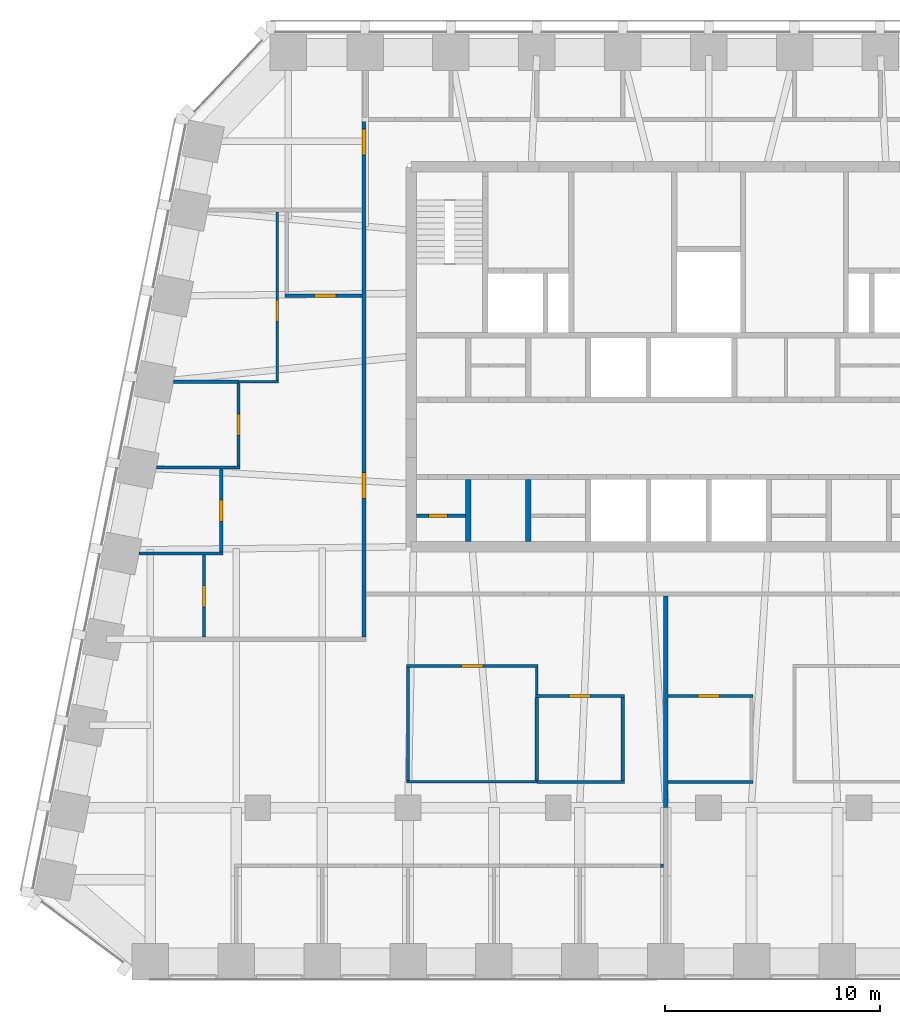
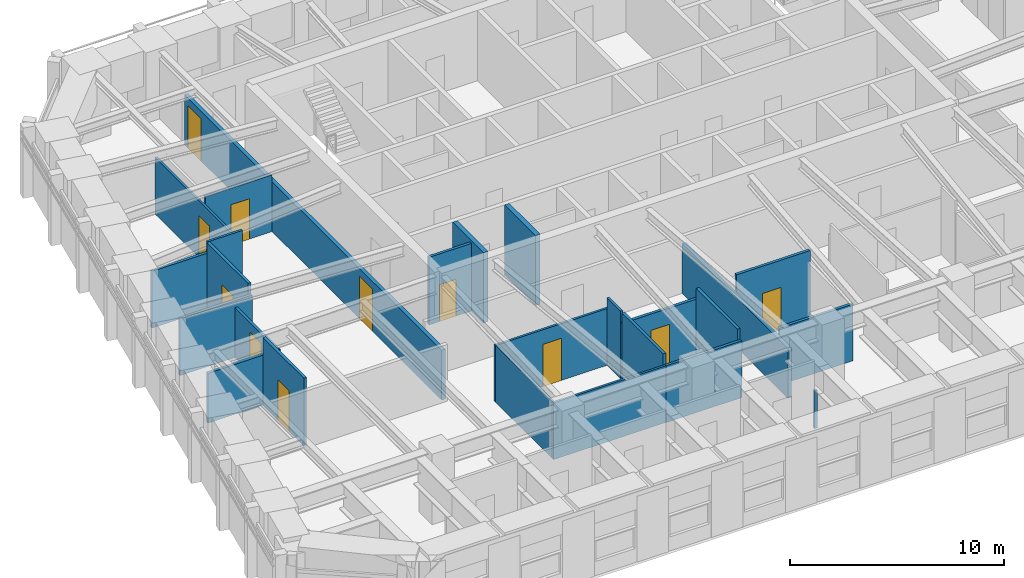
# One storey, part 6 of 11: 25 walls, 11 doors, 11 openings.
"""IFC4 building model written with IfcOpenShell, lengths in metres."""

from ifc_helpers import new_model, si_unit, direction, frame, frame_2d, origin, place, context, subcontext, project, spatial, rectangle, extrude, material, layer, layer_set, type_object, element, fill, save


model = new_model("IFC4")

# Units and contexts
model_context = context("Model", 3, precision=1e-05, world=origin(), true_north=direction((0.0, 1.0)))
body_context = subcontext(model_context, "Body", "Model", "MODEL_VIEW")
ifc_project = project(units=[si_unit("LENGTHUNIT", "METRE"), si_unit("AREAUNIT", "SQUARE_METRE"), si_unit("VOLUMEUNIT", "CUBIC_METRE"), si_unit("PLANEANGLEUNIT", "RADIAN"), si_unit("MASSUNIT", "GRAM", prefix="KILO")], contexts=[model_context])

# Site, building, storey
site_placement = place(None, origin())
site = spatial("IfcSite", under=ifc_project, at=site_placement, CompositionType="ELEMENT")
building_placement = place(site_placement, origin())
building = spatial("IfcBuilding", under=site, at=building_placement, Name="Isbrekke Arena Tower", CompositionType="ELEMENT")
storey_placement = place(building_placement, frame((0.0, 0.0, 268.0)))
storey = spatial("IfcBuildingStorey", under=building, at=storey_placement, Name="L62", CompositionType="ELEMENT", Elevation=268.0)

# Walls
ifc_material_1 = material(Name="Concrete B45 (C45/55)", Category="concrete")
ifc_layer_1 = layer(ifc_material_1, 0.25)
ifc_layer_set_1 = layer_set([ifc_layer_1], Name="CW6 SHAFT WALL 250")
wall_type_1 = type_object("IfcWallType", Name="CW6 SHAFT WALL 250", PredefinedType="SHEAR", material=ifc_layer_set_1)
for number, where, z_axis, x_axis, name in (
    (1, (-11.199951171875, 6.39990234375, 0.0), (0.0, 0.0, 1.0), (0.0, 1.0, 0.0), "Core wall SS01 L62"),
    (2, (-8.39990234375, 6.39990234375, 0.0), (0.0, 0.0, 1.0), (0.0, 1.0, 0.0), "Core wall SS02 L62"),
):
    element("IfcWall", number, at=place(storey_placement, frame(where, z_axis=z_axis, x_axis=x_axis)), inside=storey, type_object=wall_type_1, Name=name, PredefinedType="SHEAR", context=body_context, shape_type="SweptSolid", body=[
        extrude(rectangle(XDim=2.875, YDim=0.25, at=frame_2d((1.4375, 0.0))), origin(), (0.0, 0.0, 1.0), 4.0),
    ])
ifc_material_2 = material(Name="Gypsum board partition on steel studs", Category="steel")
ifc_layer_2 = layer(ifc_material_2, 0.14990234375)
ifc_layer_set_2 = layer_set([ifc_layer_2], Name="IW1 PARTITION 150")
wall_type_2 = type_object("IfcWallType", Name="IW1 PARTITION 150", PredefinedType="PARTITIONING", material=ifc_layer_set_2)
wall_1_placement = place(storey_placement, frame((-2.25, -8.699951171875, 0.0), z_axis=(0.0, 0.0, 1.0), x_axis=(1.0, 0.0, 0.0)))
element("IfcWall", 3, at=wall_1_placement, inside=storey, type_object=wall_type_2, Name="IW1 partition 150 L62", PredefinedType="PARTITIONING", context=body_context, shape_type="SweptSolid", body=[
    extrude(rectangle(XDim=0.14990234375, YDim=0.14990234375, at=frame_2d((0.074951171875, 0.0))), origin(), (0.0, 0.0, 1.0), 2.14990234375),
])
wall_2_placement = place(storey_placement, frame((-8.0, -4.800048828125, 0.0), z_axis=(0.0, 0.0, 1.0), x_axis=(1.0, 0.0, 0.0)))
element("IfcWall", 4, at=wall_2_placement, inside=storey, type_object=wall_type_2, Name="IW1 partition 150 L62", PredefinedType="PARTITIONING", context=body_context, shape_type="SweptSolid", body=[
    extrude(rectangle(XDim=4.074951171875, YDim=0.14990234375, at=frame_2d((2.03759765625, 0.0))), origin(), (0.0, 0.0, 1.0), 3.22998046875),
])
wall_3_placement = place(storey_placement, frame((-1.89990234375, -4.800048828125, 0.0), z_axis=(0.0, 0.0, 1.0), x_axis=(1.0, 0.0, 0.0)))
element("IfcWall", 5, at=wall_3_placement, inside=storey, type_object=wall_type_2, Name="IW1 partition 150 L62", PredefinedType="PARTITIONING", context=body_context, shape_type="SweptSolid", body=[
    extrude(rectangle(XDim=3.974853515625, YDim=0.14990234375, at=frame_2d((1.9873046875, 0.0))), origin(), (0.0, 0.0, 1.0), 3.22998046875),
])

# Wall, opening, door
wall_4_placement = place(storey_placement, frame((-8.06005859375, -0.800048828125, 0.0), z_axis=(0.0, 0.0, 1.0), x_axis=(1.0, 0.0, 0.0)))
wall_4 = element("IfcWall", 6, at=wall_4_placement, inside=storey, type_object=wall_type_2, Name="IW1 partition 150 L62", PredefinedType="PARTITIONING", context=body_context, shape_type="SweptSolid", body=[
    extrude(rectangle(XDim=4.135009765625, YDim=0.14990234375, at=frame_2d((2.0673828125, 0.0))), origin(), (0.0, 0.0, 1.0), 3.22998046875),
])
opening_1_placement = place(wall_4_placement, frame((1.56005859375, 0.0, 0.0)))
opening_1 = element("IfcOpeningElement", 7, at=opening_1_placement, cuts=wall_4, Name="Opening D10", PredefinedType="OPENING", context=body_context, shape_type="SweptSolid", body=[
    extrude(rectangle(XDim=1.0, YDim=2.300048828125, at=frame_2d((0.5, 1.14990234375))), frame((0.0, 0.08984375, 0.0), z_axis=(0.0, -1.0, 0.0), x_axis=(1.0, 0.0, 0.0)), (0.0, 0.0, 1.0), 0.1796875),
])
ifc_material_3 = material(Name="Timber door", Category="wood")
door_type_1 = type_object("IfcDoorType", Name="D10 OFFICE DOOR 1000 x 2300", OperationType="SINGLE_SWING_LEFT", PredefinedType="DOOR", material=ifc_material_3)
door_1_placement = place(opening_1_placement, origin())
door_1 = element("IfcDoor", 8, at=door_1_placement, inside=storey, type_object=door_type_1, Name="D10 pantry door L62", OperationType="SINGLE_SWING_LEFT", OverallHeight=2.300048828125, OverallWidth=1.0, PredefinedType="DOOR", context=body_context, shape_type="SweptSolid", body=[
    extrude(rectangle(XDim=1.0, YDim=2.300048828125, at=frame_2d((0.5, 1.14990234375))), frame((0.0, 0.07470703125, 0.0), z_axis=(0.0, -1.0, 0.0), x_axis=(1.0, 0.0, 0.0)), (0.0, 0.0, 1.0), 0.1494140625),
])
fill(opening_1, door_1)

wall_5_placement = place(storey_placement, frame((-1.89990234375, -0.800048828125, 0.0), z_axis=(0.0, 0.0, 1.0), x_axis=(1.0, 0.0, 0.0)))
wall_5 = element("IfcWall", 9, at=wall_5_placement, inside=storey, type_object=wall_type_2, Name="IW1 partition 150 L62", PredefinedType="PARTITIONING", context=body_context, shape_type="SweptSolid", body=[
    extrude(rectangle(XDim=3.974853515625, YDim=0.14990234375, at=frame_2d((1.9873046875, 0.0))), origin(), (0.0, 0.0, 1.0), 3.85009765625),
])
opening_2_placement = place(wall_5_placement, frame((1.39990234375, 0.0, 0.0)))
opening_2 = element("IfcOpeningElement", 10, at=opening_2_placement, cuts=wall_5, Name="Opening D10", PredefinedType="OPENING", context=body_context, shape_type="SweptSolid", body=[
    extrude(rectangle(XDim=1.0, YDim=2.300048828125, at=frame_2d((0.5, 1.14990234375))), frame((0.0, 0.08984375, 0.0), z_axis=(0.0, -1.0, 0.0), x_axis=(1.0, 0.0, 0.0)), (0.0, 0.0, 1.0), 0.1796875),
])
door_2_placement = place(opening_2_placement, origin())
door_2 = element("IfcDoor", 11, at=door_2_placement, inside=storey, type_object=door_type_1, Name="D10 tea point door L62", OperationType="SINGLE_SWING_LEFT", OverallHeight=2.300048828125, OverallWidth=1.0, PredefinedType="DOOR", context=body_context, shape_type="SweptSolid", body=[
    extrude(rectangle(XDim=1.0, YDim=2.300048828125, at=frame_2d((0.5, 1.14990234375))), frame((0.0, 0.07470703125, 0.0), z_axis=(0.0, -1.0, 0.0), x_axis=(1.0, 0.0, 0.0)), (0.0, 0.0, 1.0), 0.1494140625),
])
fill(opening_2, door_2)

# Walls
wall_6_placement = place(storey_placement, frame((-26.523681640625, 5.840087890625, 0.0), z_axis=(0.0, 0.0, 1.0), x_axis=(1.0, 0.0, 0.0)))
element("IfcWall", 12, at=wall_6_placement, inside=storey, type_object=wall_type_2, Name="IW1 partition 150 L62", PredefinedType="PARTITIONING", context=body_context, shape_type="SweptSolid", body=[
    extrude(rectangle(XDim=3.898681640625, YDim=0.14990234375, at=frame_2d((1.94921875, 0.0))), origin(), (0.0, 0.0, 1.0), 2.842041015625),
])
wall_7_placement = place(storey_placement, frame((-25.723876953125, 9.840087890625, 0.0), z_axis=(0.0, 0.0, 1.0), x_axis=(1.0, 0.0, 0.0)))
element("IfcWall", 13, at=wall_7_placement, inside=storey, type_object=wall_type_2, Name="IW1 partition 150 L62", PredefinedType="PARTITIONING", context=body_context, shape_type="SweptSolid", body=[
    extrude(rectangle(XDim=3.89892578125, YDim=0.14990234375, at=frame_2d((1.949462890625, 0.0))), origin(), (0.0, 0.0, 1.0), 3.22998046875),
])
wall_8_placement = place(storey_placement, frame((-24.923828125, 13.840087890625, 0.0), z_axis=(0.0, 0.0, 1.0), x_axis=(1.0, 0.0, 0.0)))
element("IfcWall", 14, at=wall_8_placement, inside=storey, type_object=wall_type_2, Name="IW1 partition 150 L62", PredefinedType="PARTITIONING", context=body_context, shape_type="SweptSolid", body=[
    extrude(rectangle(XDim=3.02392578125, YDim=0.14990234375, at=frame_2d((1.511962890625, 0.0))), origin(), (0.0, 0.0, 1.0), 3.22998046875),
])

# Wall, opening, door
wall_9_placement = place(storey_placement, frame((-19.72509765625, 17.840087890625, 0.0), z_axis=(0.0, 0.0, 1.0), x_axis=(1.0, 0.0, 0.0)))
wall_9 = element("IfcWall", 15, at=wall_9_placement, inside=storey, type_object=wall_type_2, Name="IW1 partition 150 L62", PredefinedType="PARTITIONING", context=body_context, shape_type="SweptSolid", body=[
    extrude(rectangle(XDim=3.5751953125, YDim=0.14990234375, at=frame_2d((1.78759765625, 0.0))), origin(), (0.0, 0.0, 1.0), 3.22998046875),
])
opening_3_placement = place(wall_9_placement, frame((1.375, 0.0, 0.0)))
opening_3 = element("IfcOpeningElement", 16, at=opening_3_placement, cuts=wall_9, Name="Opening D10", PredefinedType="OPENING", context=body_context, shape_type="SweptSolid", body=[
    extrude(rectangle(XDim=1.0, YDim=2.300048828125, at=frame_2d((0.5, 1.14990234375))), frame((0.0, 0.08984375, 0.0), z_axis=(0.0, -1.0, 0.0), x_axis=(1.0, 0.0, 0.0)), (0.0, 0.0, 1.0), 0.1796875),
])
door_3_placement = place(opening_3_placement, origin())
door_3 = element("IfcDoor", 17, at=door_3_placement, inside=storey, type_object=door_type_1, Name="D10 tea point door L62", OperationType="SINGLE_SWING_LEFT", OverallHeight=2.300048828125, OverallWidth=1.0, PredefinedType="DOOR", context=body_context, shape_type="SweptSolid", body=[
    extrude(rectangle(XDim=1.0, YDim=2.300048828125, at=frame_2d((0.5, 1.14990234375))), frame((0.0, 0.07470703125, 0.0), z_axis=(0.0, -1.0, 0.0), x_axis=(1.0, 0.0, 0.0)), (0.0, 0.0, 1.0), 0.1494140625),
])
fill(opening_3, door_3)

wall_10_placement = place(storey_placement, frame((-23.5, 1.93994140625, 0.0), z_axis=(0.0, 0.0, 1.0), x_axis=(0.0, 1.0, 0.0)))
wall_10 = element("IfcWall", 18, at=wall_10_placement, inside=storey, type_object=wall_type_2, Name="IW1 partition 150 L62", PredefinedType="PARTITIONING", context=body_context, shape_type="SweptSolid", body=[
    extrude(rectangle(XDim=3.824951171875, YDim=0.14990234375, at=frame_2d((1.91259765625, 0.0))), origin(), (0.0, 0.0, 1.0), 3.85009765625),
])
opening_4_placement = place(wall_10_placement, frame((1.39990234375, 0.0, 0.0)))
opening_4 = element("IfcOpeningElement", 19, at=opening_4_placement, cuts=wall_10, Name="Opening D10", PredefinedType="OPENING", context=body_context, shape_type="SweptSolid", body=[
    extrude(rectangle(XDim=1.0, YDim=2.300048828125, at=frame_2d((0.5, 1.14990234375))), frame((0.0, 0.08984375, 0.0), z_axis=(0.0, -1.0, 0.0), x_axis=(1.0, 0.0, 0.0)), (0.0, 0.0, 1.0), 0.1796875),
])
door_4_placement = place(opening_4_placement, origin())
door_4 = element("IfcDoor", 20, at=door_4_placement, inside=storey, type_object=door_type_1, Name="D10 office door L62", OperationType="SINGLE_SWING_LEFT", OverallHeight=2.300048828125, OverallWidth=1.0, PredefinedType="DOOR", context=body_context, shape_type="SweptSolid", body=[
    extrude(rectangle(XDim=1.0, YDim=2.300048828125, at=frame_2d((0.5, 1.14990234375))), frame((0.0, 0.07470703125, 0.0), z_axis=(0.0, -1.0, 0.0), x_axis=(1.0, 0.0, 0.0)), (0.0, 0.0, 1.0), 0.1494140625),
])
fill(opening_4, door_4)

wall_11_placement = place(storey_placement, frame((-22.699951171875, 5.9150390625, 0.0), z_axis=(0.0, 0.0, 1.0), x_axis=(0.0, 1.0, 0.0)))
wall_11 = element("IfcWall", 21, at=wall_11_placement, inside=storey, type_object=wall_type_2, Name="IW1 partition 150 L62", PredefinedType="PARTITIONING", context=body_context, shape_type="SweptSolid", body=[
    extrude(rectangle(XDim=3.849853515625, YDim=0.14990234375, at=frame_2d((1.9248046875, 0.0))), origin(), (0.0, 0.0, 1.0), 2.842041015625),
])
opening_5_placement = place(wall_11_placement, frame((1.425048828125, 0.0, 0.0)))
opening_5 = element("IfcOpeningElement", 22, at=opening_5_placement, cuts=wall_11, Name="Opening D10", PredefinedType="OPENING", context=body_context, shape_type="SweptSolid", body=[
    extrude(rectangle(XDim=1.0, YDim=2.300048828125, at=frame_2d((0.5, 1.14990234375))), frame((0.0, 0.08984375, 0.0), z_axis=(0.0, -1.0, 0.0), x_axis=(1.0, 0.0, 0.0)), (0.0, 0.0, 1.0), 0.1796875),
])
door_5_placement = place(opening_5_placement, origin())
door_5 = element("IfcDoor", 23, at=door_5_placement, inside=storey, type_object=door_type_1, Name="D10 office door L62", OperationType="SINGLE_SWING_LEFT", OverallHeight=2.300048828125, OverallWidth=1.0, PredefinedType="DOOR", context=body_context, shape_type="SweptSolid", body=[
    extrude(rectangle(XDim=1.0, YDim=2.300048828125, at=frame_2d((0.5, 1.14990234375))), frame((0.0, 0.07470703125, 0.0), z_axis=(0.0, -1.0, 0.0), x_axis=(1.0, 0.0, 0.0)), (0.0, 0.0, 1.0), 0.1494140625),
])
fill(opening_5, door_5)

wall_12_placement = place(storey_placement, frame((-21.89990234375, 9.9150390625, 0.0), z_axis=(0.0, 0.0, 1.0), x_axis=(0.0, 1.0, 0.0)))
wall_12 = element("IfcWall", 24, at=wall_12_placement, inside=storey, type_object=wall_type_2, Name="IW1 partition 150 L62", PredefinedType="PARTITIONING", context=body_context, shape_type="SweptSolid", body=[
    extrude(rectangle(XDim=3.849853515625, YDim=0.14990234375, at=frame_2d((1.9248046875, 0.0))), origin(), (0.0, 0.0, 1.0), 3.85009765625),
])
opening_6_placement = place(wall_12_placement, frame((1.425048828125, 0.0, 0.0)))
opening_6 = element("IfcOpeningElement", 25, at=opening_6_placement, cuts=wall_12, Name="Opening D10", PredefinedType="OPENING", context=body_context, shape_type="SweptSolid", body=[
    extrude(rectangle(XDim=1.0, YDim=2.300048828125, at=frame_2d((0.5, 1.14990234375))), frame((0.0, 0.08984375, 0.0), z_axis=(0.0, -1.0, 0.0), x_axis=(1.0, 0.0, 0.0)), (0.0, 0.0, 1.0), 0.1796875),
])
door_6_placement = place(opening_6_placement, origin())
door_6 = element("IfcDoor", 26, at=door_6_placement, inside=storey, type_object=door_type_1, Name="D10 office door L62", OperationType="SINGLE_SWING_LEFT", OverallHeight=2.300048828125, OverallWidth=1.0, PredefinedType="DOOR", context=body_context, shape_type="SweptSolid", body=[
    extrude(rectangle(XDim=1.0, YDim=2.300048828125, at=frame_2d((0.5, 1.14990234375))), frame((0.0, 0.07470703125, 0.0), z_axis=(0.0, -1.0, 0.0), x_axis=(1.0, 0.0, 0.0)), (0.0, 0.0, 1.0), 0.1494140625),
])
fill(opening_6, door_6)

# Walls
for number, where, z_axis, x_axis, name in (
    (27, (-8.0, -4.72509765625, 0.0), (0.0, 0.0, 1.0), (0.0, 1.0, 0.0), "IW1 partition 150 L62"),
    (28, (-4.0, -4.72509765625, 0.0), (0.0, 0.0, 1.0), (0.0, 1.0, 0.0), "IW1 partition 150 L62"),
):
    element("IfcWall", number, at=place(storey_placement, frame(where, z_axis=z_axis, x_axis=x_axis)), inside=storey, type_object=wall_type_2, Name=name, PredefinedType="PARTITIONING", context=body_context, shape_type="SweptSolid", body=[
        extrude(rectangle(XDim=3.85009765625, YDim=0.14990234375, at=frame_2d((1.925048828125, 0.0))), origin(), (0.0, 0.0, 1.0), 3.85009765625),
    ])
ifc_material_4 = material(Name="Frameless glazed partition, laminated acoustic glass", Category="glass")
ifc_layer_3 = layer(ifc_material_4, 0.1201171875)
ifc_layer_set_3 = layer_set([ifc_layer_3], Name="IW2 GLAZED PARTITION 120")
wall_type_3 = type_object("IfcWallType", Name="IW2 GLAZED PARTITION 120", PredefinedType="PARTITIONING", material=ifc_layer_set_3)
wall_13_placement = place(storey_placement, frame((-14.06005859375, -4.800048828125, 0.0), z_axis=(0.0, 0.0, 1.0), x_axis=(1.0, 0.0, 0.0)))
element("IfcWall", 29, at=wall_13_placement, inside=storey, type_object=wall_type_3, Name="IW2 glazed partition 120 L62", PredefinedType="PARTITIONING", context=body_context, shape_type="SweptSolid", body=[
    extrude(rectangle(XDim=6.06005859375, YDim=0.1201171875, at=frame_2d((3.030029296875, 0.0))), origin(), (0.0, 0.0, 1.0), 3.22998046875),
])

# Wall, opening, door
wall_14_placement = place(storey_placement, frame((-14.06005859375, 0.60009765625, 0.0), z_axis=(0.0, 0.0, 1.0), x_axis=(1.0, 0.0, 0.0)))
wall_14 = element("IfcWall", 30, at=wall_14_placement, inside=storey, type_object=wall_type_3, Name="IW2 glazed partition 120 L62", PredefinedType="PARTITIONING", context=body_context, shape_type="SweptSolid", body=[
    extrude(rectangle(XDim=6.1201171875, YDim=0.1201171875, at=frame_2d((3.06005859375, 0.0))), origin(), (0.0, 0.0, 1.0), 3.22998046875),
])
opening_7_placement = place(wall_14_placement, frame((2.56005859375, 0.0, 0.0)))
opening_7 = element("IfcOpeningElement", 31, at=opening_7_placement, cuts=wall_14, Name="Opening D11", PredefinedType="OPENING", context=body_context, shape_type="SweptSolid", body=[
    extrude(rectangle(XDim=1.0, YDim=2.39990234375, at=frame_2d((0.5, 1.199951171875))), frame((0.0, 0.074951171875, 0.0), z_axis=(0.0, -1.0, 0.0), x_axis=(1.0, 0.0, 0.0)), (0.0, 0.0, 1.0), 0.14990234375),
])
ifc_material_5 = material(Name="Frameless glazed door", Category="glass")
door_type_2 = type_object("IfcDoorType", Name="D11 GLAZED MEETING ROOM DOOR 1000 x 2400", OperationType="SINGLE_SWING_RIGHT", PredefinedType="DOOR", material=ifc_material_5)
door_7_placement = place(opening_7_placement, origin())
door_7 = element("IfcDoor", 32, at=door_7_placement, inside=storey, type_object=door_type_2, Name="D11 meeting room door L62", OperationType="SINGLE_SWING_RIGHT", OverallHeight=2.39990234375, OverallWidth=1.0, PredefinedType="DOOR", context=body_context, shape_type="SweptSolid", body=[
    extrude(rectangle(XDim=1.0, YDim=2.39990234375, at=frame_2d((0.5, 1.199951171875))), frame((0.0, 0.059814453125, 0.0), z_axis=(0.0, -1.0, 0.0), x_axis=(1.0, 0.0, 0.0)), (0.0, 0.0, 1.0), 0.11962890625),
])
fill(opening_7, door_7)

# Wall
wall_15_placement = place(storey_placement, frame((-21.89990234375, 13.840087890625, 0.0), z_axis=(0.0, 0.0, 1.0), x_axis=(1.0, 0.0, 0.0)))
element("IfcWall", 33, at=wall_15_placement, inside=storey, type_object=wall_type_3, Name="IW2 glazed partition 120 L62", PredefinedType="PARTITIONING", context=body_context, shape_type="SweptSolid", body=[
    extrude(rectangle(XDim=1.85986328125, YDim=0.1201171875, at=frame_2d((0.929931640625, 0.0))), origin(), (0.0, 0.0, 1.0), 3.85009765625),
])

# Wall, opening, door
wall_16_placement = place(storey_placement, frame((-20.10009765625, 13.89990234375, 0.0), z_axis=(0.0, 0.0, 1.0), x_axis=(0.0, 1.0, 0.0)))
wall_16 = element("IfcWall", 34, at=wall_16_placement, inside=storey, type_object=wall_type_3, Name="IW2 glazed partition 120 L62", PredefinedType="PARTITIONING", context=body_context, shape_type="SweptSolid", body=[
    extrude(rectangle(XDim=7.840087890625, YDim=0.1201171875, at=frame_2d((3.919921875, 0.0))), origin(), (0.0, 0.0, 1.0), 3.22998046875),
])
opening_8_placement = place(wall_16_placement, frame((2.739990234375, 0.0, 0.0)))
opening_8 = element("IfcOpeningElement", 35, at=opening_8_placement, cuts=wall_16, Name="Opening D11", PredefinedType="OPENING", context=body_context, shape_type="SweptSolid", body=[
    extrude(rectangle(XDim=1.0, YDim=2.39990234375, at=frame_2d((0.5, 1.199951171875))), frame((0.0, 0.074951171875, 0.0), z_axis=(0.0, -1.0, 0.0), x_axis=(1.0, 0.0, 0.0)), (0.0, 0.0, 1.0), 0.14990234375),
])
door_8_placement = place(opening_8_placement, origin())
door_8 = element("IfcDoor", 36, at=door_8_placement, inside=storey, type_object=door_type_2, Name="D11 meeting room door L62", OperationType="SINGLE_SWING_RIGHT", OverallHeight=2.39990234375, OverallWidth=1.0, PredefinedType="DOOR", context=body_context, shape_type="SweptSolid", body=[
    extrude(rectangle(XDim=1.0, YDim=2.39990234375, at=frame_2d((0.5, 1.199951171875))), frame((0.0, 0.059814453125, 0.0), z_axis=(0.0, -1.0, 0.0), x_axis=(1.0, 0.0, 0.0)), (0.0, 0.0, 1.0), 0.11962890625),
])
fill(opening_8, door_8)

# Walls
wall_17_placement = place(storey_placement, frame((-14.0, -4.739990234375, 0.0), z_axis=(0.0, 0.0, 1.0), x_axis=(0.0, 1.0, 0.0)))
element("IfcWall", 37, at=wall_17_placement, inside=storey, type_object=wall_type_3, Name="IW2 glazed partition 120 L62", PredefinedType="PARTITIONING", context=body_context, shape_type="SweptSolid", body=[
    extrude(rectangle(XDim=5.280029296875, YDim=0.1201171875, at=frame_2d((2.64013671875, 0.0))), origin(), (0.0, 0.0, 1.0), 3.22998046875),
])
wall_18_placement = place(storey_placement, frame((-8.0, -0.72509765625, 0.0), z_axis=(0.0, 0.0, 1.0), x_axis=(0.0, 1.0, 0.0)))
element("IfcWall", 38, at=wall_18_placement, inside=storey, type_object=wall_type_3, Name="IW2 glazed partition 120 L62", PredefinedType="PARTITIONING", context=body_context, shape_type="SweptSolid", body=[
    extrude(rectangle(XDim=1.26513671875, YDim=0.1201171875, at=frame_2d((0.632568359375, 0.0))), origin(), (0.0, 0.0, 1.0), 3.85009765625),
])

# Wall, openings, doors
ifc_material_6 = material(Name="Gypsum board fire-cell wall on steel studs, two layers each side", Category="steel")
ifc_layer_4 = layer(ifc_material_6, 0.199951171875)
ifc_layer_set_4 = layer_set([ifc_layer_4], Name="IW3 FIRE-CELL WALL 200")
wall_type_4 = type_object("IfcWallType", Name="IW3 FIRE-CELL WALL 200", PredefinedType="PARTITIONING", material=ifc_layer_set_4)
wall_19_placement = place(storey_placement, frame((-16.050048828125, 1.93994140625, 0.0), z_axis=(0.0, 0.0, 1.0), x_axis=(0.0, 1.0, 0.0)))
wall_19 = element("IfcWall", 39, at=wall_19_placement, inside=storey, type_object=wall_type_4, Name="IW3 fire-cell wall 200 L62", PredefinedType="PARTITIONING", context=body_context, shape_type="SweptSolid", body=[
    extrude(rectangle(XDim=24.010009765625, YDim=0.199951171875, at=frame_2d((12.0048828125, 0.0))), origin(), (0.0, 0.0, 1.0), 2.842041015625),
])
opening_9_placement = place(wall_19_placement, frame((22.4599609375, 0.0, 0.0)))
opening_9 = element("IfcOpeningElement", 40, at=opening_9_placement, cuts=wall_19, Name="Opening D12", PredefinedType="OPENING", context=body_context, shape_type="SweptSolid", body=[
    extrude(rectangle(XDim=1.199951171875, YDim=2.39990234375, at=frame_2d((0.60009765625, 1.199951171875))), frame((0.0, 0.11474609375, 0.0), z_axis=(0.0, -1.0, 0.0), x_axis=(1.0, 0.0, 0.0)), (0.0, 0.0, 1.0), 0.229736328125),
])
opening_10_placement = place(wall_19_placement, frame((6.4599609375, 0.0, 0.0)))
opening_10 = element("IfcOpeningElement", 41, at=opening_10_placement, cuts=wall_19, Name="Opening D12", PredefinedType="OPENING", context=body_context, shape_type="SweptSolid", body=[
    extrude(rectangle(XDim=1.199951171875, YDim=2.39990234375, at=frame_2d((0.60009765625, 1.199951171875))), frame((0.0, 0.11474609375, 0.0), z_axis=(0.0, -1.0, 0.0), x_axis=(1.0, 0.0, 0.0)), (0.0, 0.0, 1.0), 0.229736328125),
])
ifc_material_7 = material(Name="Timber fire door with vision panel", Category="wood")
door_type_3 = type_object("IfcDoorType", Name="D12 SUITE ENTRANCE DOOR 1200 x 2400", OperationType="SINGLE_SWING_LEFT", PredefinedType="DOOR", material=ifc_material_7)
door_9_placement = place(opening_9_placement, origin())
door_9 = element("IfcDoor", 42, at=door_9_placement, inside=storey, type_object=door_type_3, Name="D12 suite entrance NCW door L62", OperationType="SINGLE_SWING_LEFT", OverallHeight=2.39990234375, OverallWidth=1.199951171875, PredefinedType="DOOR", context=body_context, shape_type="SweptSolid", body=[
    extrude(rectangle(XDim=1.199951171875, YDim=2.39990234375, at=frame_2d((0.60009765625, 1.199951171875))), frame((0.0, 0.099609375, 0.0), z_axis=(0.0, -1.0, 0.0), x_axis=(1.0, 0.0, 0.0)), (0.0, 0.0, 1.0), 0.199462890625),
])
fill(opening_9, door_9)
door_10_placement = place(opening_10_placement, origin())
door_10 = element("IfcDoor", 43, at=door_10_placement, inside=storey, type_object=door_type_3, Name="D12 suite entrance NW door L62", OperationType="SINGLE_SWING_LEFT", OverallHeight=2.39990234375, OverallWidth=1.199951171875, PredefinedType="DOOR", context=body_context, shape_type="SweptSolid", body=[
    extrude(rectangle(XDim=1.199951171875, YDim=2.39990234375, at=frame_2d((0.60009765625, 1.199951171875))), frame((0.0, 0.099609375, 0.0), z_axis=(0.0, -1.0, 0.0), x_axis=(1.0, 0.0, 0.0)), (0.0, 0.0, 1.0), 0.199462890625),
])
fill(opening_10, door_10)

# Wall
wall_20_placement = place(storey_placement, frame((-2.0, -6.0, 0.0), z_axis=(0.0, 0.0, 1.0), x_axis=(0.0, 1.0, 0.0)))
element("IfcWall", 44, at=wall_20_placement, inside=storey, type_object=wall_type_4, Name="IW3 fire-cell wall 200 L62", PredefinedType="PARTITIONING", context=body_context, shape_type="SweptSolid", body=[
    extrude(rectangle(XDim=9.85009765625, YDim=0.199951171875, at=frame_2d((4.925048828125, 0.0))), origin(), (0.0, 0.0, 1.0), 2.85009765625),
])

# Wall, opening, door
ifc_material_8 = material(Name="Gypsum board fire-rated partition on steel studs, two layers each side", Category="steel")
ifc_layer_5 = layer(ifc_material_8, 0.14990234375)
ifc_layer_set_5 = layer_set([ifc_layer_5], Name="IW5 FIRE-RATED PARTITION 150")
wall_type_5 = type_object("IfcWallType", Name="IW5 FIRE-RATED PARTITION 150", PredefinedType="PARTITIONING", material=ifc_layer_set_5)
wall_21_placement = place(storey_placement, frame((-13.60009765625, 7.60009765625, 0.0), z_axis=(0.0, 0.0, 1.0), x_axis=(1.0, 0.0, 0.0)))
wall_21 = element("IfcWall", 45, at=wall_21_placement, inside=storey, type_object=wall_type_5, Name="IW5 fire-rated partition L62 core service rooms 4", PredefinedType="PARTITIONING", context=body_context, shape_type="SweptSolid", body=[
    extrude(rectangle(XDim=2.275146484375, YDim=0.14990234375, at=frame_2d((1.1376953125, 0.0))), origin(), (0.0, 0.0, 1.0), 3.85009765625),
])
opening_11_placement = place(wall_21_placement, frame((0.550048828125, 0.0, 0.0)))
opening_11 = element("IfcOpeningElement", 46, at=opening_11_placement, cuts=wall_21, Name="Opening D5", PredefinedType="OPENING", context=body_context, shape_type="SweptSolid", body=[
    extrude(rectangle(XDim=0.89990234375, YDim=2.10009765625, at=frame_2d((0.449951171875, 1.050048828125))), frame((0.0, 0.08984375, 0.0), z_axis=(0.0, -1.0, 0.0), x_axis=(1.0, 0.0, 0.0)), (0.0, 0.0, 1.0), 0.1796875),
])
ifc_material_9 = material(Name="Steel fire door", Category="steel")
door_type_4 = type_object("IfcDoorType", Name="D5 SERVICE DOOR 900 x 2100", OperationType="SINGLE_SWING_LEFT", PredefinedType="DOOR", material=ifc_material_9)
door_11_placement = place(opening_11_placement, origin())
door_11 = element("IfcDoor", 47, at=door_11_placement, inside=storey, type_object=door_type_4, Name="D5 tenant store door L62", OperationType="SINGLE_SWING_LEFT", OverallHeight=2.10009765625, OverallWidth=0.89990234375, PredefinedType="DOOR", context=body_context, shape_type="SweptSolid", body=[
    extrude(rectangle(XDim=0.89990234375, YDim=2.10009765625, at=frame_2d((0.449951171875, 1.050048828125))), frame((0.0, 0.07470703125, 0.0), z_axis=(0.0, -1.0, 0.0), x_axis=(1.0, 0.0, 0.0)), (0.0, 0.0, 1.0), 0.1494140625),
])
fill(opening_11, door_11)

save(model, "model.ifc")
